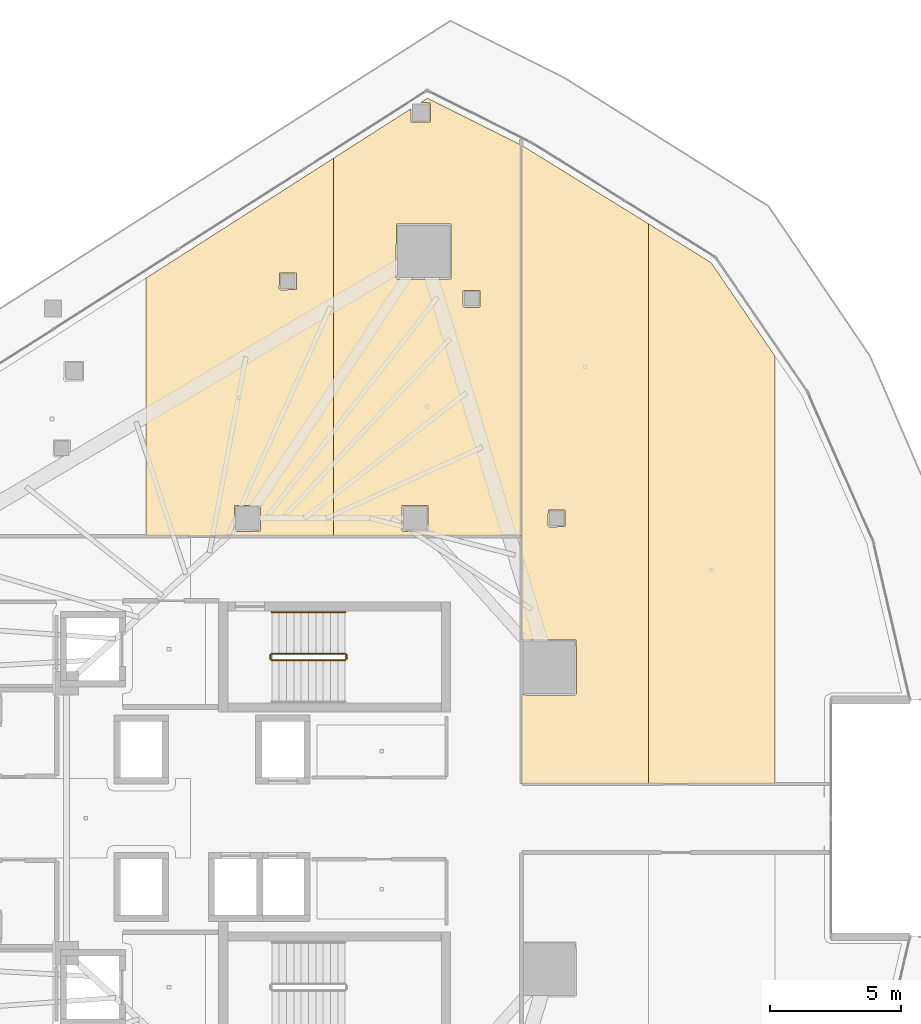
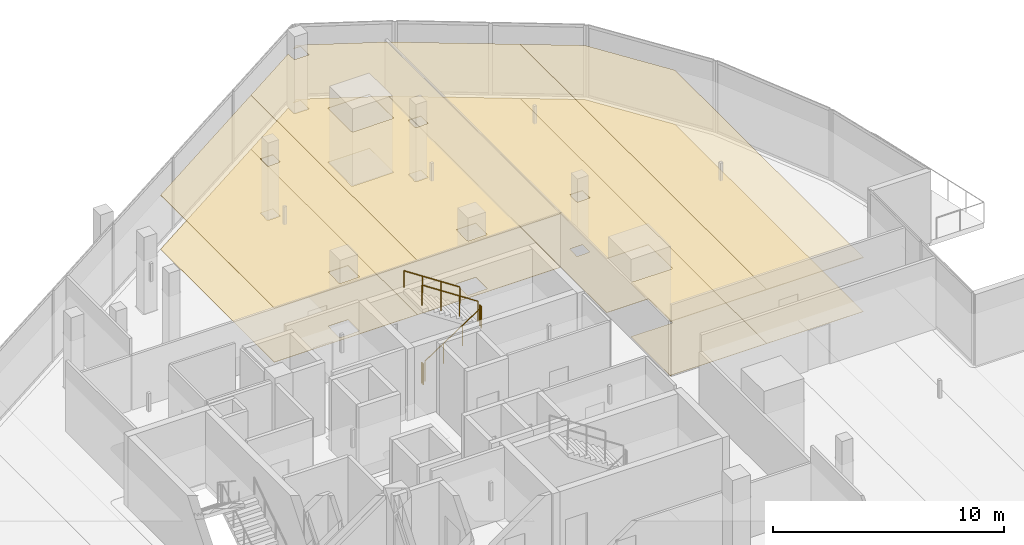
# One storey, part 35 of 36: 8 coverings, 5 railings.
"""IFC4 building model written with IfcOpenShell, lengths in metres."""

from ifc_helpers import new_model, si_unit, direction, frame, origin, origin_2d, place, context, subcontext, project, spatial, polyline, circle, outline, extrude, material, layer, layer_set, type_object, element, save


model = new_model("IFC4")

# Units and contexts
model_context = context("Model", 3, precision=1e-05, world=origin(), true_north=direction((0.0, 1.0)))
body_context = subcontext(model_context, "Body", "Model", "MODEL_VIEW")
ifc_project = project(units=[si_unit("LENGTHUNIT", "METRE"), si_unit("AREAUNIT", "SQUARE_METRE"), si_unit("VOLUMEUNIT", "CUBIC_METRE"), si_unit("PLANEANGLEUNIT", "RADIAN"), si_unit("MASSUNIT", "GRAM", prefix="KILO")], contexts=[model_context])

# Site, building, storey
site_placement = place(None, origin())
site = spatial("IfcSite", under=ifc_project, at=site_placement, CompositionType="ELEMENT")
building_placement = place(site_placement, origin())
building = spatial("IfcBuilding", under=site, at=building_placement, Name="Qorvath Tower", CompositionType="ELEMENT")
storey_placement = place(building_placement, frame((0.0, 0.0, 192.89990234375)))
storey = spatial("IfcBuildingStorey", under=building, at=storey_placement, Name="L44", CompositionType="ELEMENT", Elevation=192.89990234375)

# Coverings
ifc_material_1 = material(Name="Acoustic mineral fibre ceiling tile", Category="gypsum")
ifc_layer_1 = layer(ifc_material_1, 0.030029296875)
ifc_layer_set_1 = layer_set([ifc_layer_1], Name="COV-CEIL")
covering_type_1 = type_object("IfcCoveringType", Name="COV-CEIL", PredefinedType="CEILING", material=ifc_layer_set_1)
covering_1_placement = place(storey_placement, frame((0.0, 0.0, 2.85009765625)))
element("IfcCovering", 1, at=covering_1_placement, inside=storey, type_object=covering_type_1, Name="L44 Suspended Acoustic Ceiling 016", PredefinedType="CEILING", context=body_context, shape_type="SweptSolid", body=[
    extrude(outline(polyline([(-20.315673828125, 10.762939453125), (-20.315673828125, 25.18505859375), (-27.476318359375, 20.6083984375), (-27.476318359375, 10.762939453125), (-20.315673828125, 10.762939453125)]), holes=[polyline([(-22.38818359375, 20.219970703125), (-22.37060546875, 20.812255859375), (-21.73583984375, 20.812255859375), (-21.73583984375, 20.177490234375), (-22.328125, 20.159912109375), (-22.38818359375, 20.219970703125)]), polyline([(-24.110107421875, 11.0), (-24.092529296875, 11.9423828125), (-23.107666015625, 11.9423828125), (-23.107666015625, 10.95751953125), (-24.050048828125, 10.93994140625), (-24.110107421875, 11.0)])]), origin(), (0.0, 0.0, 1.0), 0.030029296875),
])
covering_2_placement = place(storey_placement, frame((0.0, 0.0, 2.85009765625)))
element("IfcCovering", 2, at=covering_2_placement, inside=storey, type_object=covering_type_1, Name="L44 Suspended Acoustic Ceiling 017", PredefinedType="CEILING", context=body_context, shape_type="SweptSolid", body=[
    extrude(outline(polyline([(-13.155029296875, 25.69189453125), (-16.7275390625, 27.478271484375), (-16.984130859375, 27.314208984375), (-16.61376953125, 27.296630859375), (-16.61376953125, 26.561767578125), (-17.3486328125, 26.561767578125), (-17.3662109375, 27.070068359375), (-20.315673828125, 25.18505859375), (-20.315673828125, 10.762939453125), (-13.155029296875, 10.762939453125), (-13.155029296875, 25.69189453125)]), holes=[polyline([(-15.381103515625, 19.543212890625), (-15.363525390625, 20.135498046875), (-14.728759765625, 20.135498046875), (-14.728759765625, 19.500732421875), (-15.321044921875, 19.483154296875), (-15.381103515625, 19.543212890625)]), polyline([(-17.931640625, 20.627197265625), (-17.9140625, 22.66943359375), (-15.829345703125, 22.66943359375), (-15.829345703125, 20.584716796875), (-17.87158203125, 20.567138671875), (-17.931640625, 20.627197265625)]), polyline([(-17.7099609375, 11.0), (-17.6923828125, 11.9423828125), (-16.70751953125, 11.9423828125), (-16.70751953125, 10.95751953125), (-17.64990234375, 10.93994140625), (-17.7099609375, 11.0)])]), origin(), (0.0, 0.0, 1.0), 0.030029296875),
])
covering_3_placement = place(storey_placement, frame((0.0, 0.0, 2.85009765625)))
element("IfcCovering", 3, at=covering_3_placement, inside=storey, type_object=covering_type_1, Name="L44 Suspended Acoustic Ceiling 021", PredefinedType="CEILING", context=body_context, shape_type="SweptSolid", body=[
    extrude(outline(polyline([(-8.3037109375, 1.31298828125), (-8.3037109375, 22.687744140625), (-13.136962890625, 25.68212890625), (-13.136962890625, 6.80126953125), (-11.054443359375, 6.80029296875), (-11.036865234375, 4.7578125), (-11.0966796875, 4.697998046875), (-13.136962890625, 4.714599609375), (-13.136962890625, 1.31298828125), (-8.3037109375, 1.31298828125)]), holes=[polyline([(-12.135009765625, 11.175048828125), (-12.117431640625, 11.767333984375), (-11.482666015625, 11.767333984375), (-11.482666015625, 11.132568359375), (-12.074951171875, 11.114990234375), (-12.135009765625, 11.175048828125)])]), origin(), (0.0, 0.0, 1.0), 0.030029296875),
])
covering_4_placement = place(storey_placement, frame((0.0, 0.0, 2.85009765625)))
element("IfcCovering", 4, at=covering_4_placement, inside=storey, type_object=covering_type_1, Name="L44 Suspended Acoustic Ceiling 022", PredefinedType="CEILING", context=body_context, shape_type="SweptSolid", body=[
    extrude(outline(polyline([(-3.47021484375, 1.31298828125), (-3.47021484375, 17.63623046875), (-5.91162109375, 21.20556640625), (-8.3037109375, 22.687744140625), (-8.3037109375, 1.31298828125), (-3.47021484375, 1.31298828125)])), origin(), (0.0, 0.0, 1.0), 0.030029296875),
])
ifc_material_2 = material(Name="Low-VOC modular carpet tile", Category="textile")
ifc_layer_2 = layer(ifc_material_2, 0.014892578125)
ifc_layer_set_2 = layer_set([ifc_layer_2], Name="COV-FLOOR-CPT")
covering_type_2 = type_object("IfcCoveringType", Name="COV-FLOOR-CPT", PredefinedType="FLOORING", material=ifc_layer_set_2)
covering_5_placement = place(storey_placement, origin())
element("IfcCovering", 5, at=covering_5_placement, inside=storey, type_object=covering_type_2, Name="L44 Floor Finish 016", PredefinedType="FLOORING", context=body_context, shape_type="SweptSolid", body=[
    extrude(outline(polyline([(-20.315673828125, 10.762939453125), (-20.315673828125, 25.18505859375), (-27.476318359375, 20.6083984375), (-27.476318359375, 10.762939453125), (-20.315673828125, 10.762939453125)]), holes=[polyline([(-22.38818359375, 20.219970703125), (-22.37060546875, 20.812255859375), (-21.73583984375, 20.812255859375), (-21.73583984375, 20.177490234375), (-22.328125, 20.159912109375), (-22.38818359375, 20.219970703125)]), polyline([(-24.110107421875, 11.0), (-24.092529296875, 11.9423828125), (-23.107666015625, 11.9423828125), (-23.107666015625, 10.95751953125), (-24.050048828125, 10.93994140625), (-24.110107421875, 11.0)])]), origin(), (0.0, 0.0, 1.0), 0.01513671875),
])
covering_6_placement = place(storey_placement, origin())
element("IfcCovering", 6, at=covering_6_placement, inside=storey, type_object=covering_type_2, Name="L44 Floor Finish 017", PredefinedType="FLOORING", context=body_context, shape_type="SweptSolid", body=[
    extrude(outline(polyline([(-13.155029296875, 25.69189453125), (-16.7275390625, 27.478271484375), (-16.984130859375, 27.314208984375), (-16.61376953125, 27.296630859375), (-16.61376953125, 26.561767578125), (-17.3486328125, 26.561767578125), (-17.3662109375, 27.070068359375), (-20.315673828125, 25.18505859375), (-20.315673828125, 10.762939453125), (-13.155029296875, 10.762939453125), (-13.155029296875, 25.69189453125)]), holes=[polyline([(-15.381103515625, 19.543212890625), (-15.363525390625, 20.135498046875), (-14.728759765625, 20.135498046875), (-14.728759765625, 19.500732421875), (-15.321044921875, 19.483154296875), (-15.381103515625, 19.543212890625)]), polyline([(-17.931640625, 20.627197265625), (-17.9140625, 22.66943359375), (-15.829345703125, 22.66943359375), (-15.829345703125, 20.584716796875), (-17.87158203125, 20.567138671875), (-17.931640625, 20.627197265625)]), polyline([(-17.7099609375, 11.0), (-17.6923828125, 11.9423828125), (-16.70751953125, 11.9423828125), (-16.70751953125, 10.95751953125), (-17.64990234375, 10.93994140625), (-17.7099609375, 11.0)])]), origin(), (0.0, 0.0, 1.0), 0.01513671875),
])
covering_7_placement = place(storey_placement, origin())
element("IfcCovering", 7, at=covering_7_placement, inside=storey, type_object=covering_type_2, Name="L44 Floor Finish 021", PredefinedType="FLOORING", context=body_context, shape_type="SweptSolid", body=[
    extrude(outline(polyline([(-8.3037109375, 1.31298828125), (-8.3037109375, 22.687744140625), (-13.136962890625, 25.68212890625), (-13.136962890625, 6.80126953125), (-11.054443359375, 6.80029296875), (-11.036865234375, 4.7578125), (-11.0966796875, 4.697998046875), (-13.136962890625, 4.714599609375), (-13.136962890625, 1.31298828125), (-8.3037109375, 1.31298828125)]), holes=[polyline([(-12.135009765625, 11.175048828125), (-12.117431640625, 11.767333984375), (-11.482666015625, 11.767333984375), (-11.482666015625, 11.132568359375), (-12.074951171875, 11.114990234375), (-12.135009765625, 11.175048828125)])]), origin(), (0.0, 0.0, 1.0), 0.01513671875),
])
covering_8_placement = place(storey_placement, origin())
element("IfcCovering", 8, at=covering_8_placement, inside=storey, type_object=covering_type_2, Name="L44 Floor Finish 022", PredefinedType="FLOORING", context=body_context, shape_type="SweptSolid", body=[
    extrude(outline(polyline([(-3.47021484375, 1.31298828125), (-3.47021484375, 17.63623046875), (-5.91162109375, 21.20556640625), (-8.3037109375, 22.687744140625), (-8.3037109375, 1.31298828125), (-3.47021484375, 1.31298828125)])), origin(), (0.0, 0.0, 1.0), 0.01513671875),
])

# Railings
ifc_material_3 = material(Name="Painted galvanised steel", Category="steel")
railing_type_1 = type_object("IfcRailingType", Name="RL-STR-GRD", PredefinedType="GUARDRAIL", material=ifc_material_3)
railing_1_placement = place(storey_placement, frame((-22.669921875, 6.030029296875, 0.18408203125)))
element("IfcRailing", 9, at=railing_1_placement, inside=storey, type_object=railing_type_1, Name="L44 TS1 stair guard 1", PredefinedType="GUARDRAIL", context=body_context, shape_type="SweptSolid", body=[
    extrude(circle(Radius=0.02392578125, at=origin_2d()), frame((0.0, 0.0, 1.076171875), z_axis=(0.835542071712, 0.0, 0.549426470421), x_axis=(0.0, 1.0, 0.0)), (0.0, 0.0, 1.0), 3.350830078125),
    extrude(circle(Radius=0.02099609375, at=origin_2d()), origin(), (0.0, 0.0, 1.0), 1.052001953125),
    extrude(circle(Radius=0.02099609375, at=origin_2d()), frame((0.933349609375, 0.0, 0.61376953125)), (0.0, 0.0, 1.0), 1.052001953125),
    extrude(circle(Radius=0.02099609375, at=origin_2d()), frame((1.866455078125, 0.0, 1.227294921875)), (0.0, 0.0, 1.0), 1.052001953125),
    extrude(circle(Radius=0.02099609375, at=origin_2d()), frame((2.7998046875, 0.0, 1.841064453125)), (0.0, 0.0, 1.0), 1.052001953125),
])
railing_2_placement = place(storey_placement, frame((-19.820068359375, 6.080078125, 2.025146484375)))
element("IfcRailing", 10, at=railing_2_placement, inside=storey, type_object=railing_type_1, Name="L44 TS1 stair guard 2", PredefinedType="GUARDRAIL", context=body_context, shape_type="SweptSolid", body=[
    extrude(circle(Radius=0.02392578125, at=origin_2d()), frame((0.0, 0.0, 1.076171875), z_axis=(0.0, 1.0, 0.0), x_axis=(-1.0, 0.0, 0.0)), (0.0, 0.0, 1.0), 0.14990234375),
    extrude(circle(Radius=0.02099609375, at=origin_2d()), origin(), (0.0, 0.0, 1.0), 1.052001953125),
    extrude(circle(Radius=0.02099609375, at=origin_2d()), frame((0.0, 0.14990234375, 0.0)), (0.0, 0.0, 1.0), 1.052001953125),
])
railing_3_placement = place(storey_placement, frame((-19.8701171875, 6.280029296875, 2.209228515625)))
element("IfcRailing", 11, at=railing_3_placement, inside=storey, type_object=railing_type_1, Name="L44 TS1 stair guard 3", PredefinedType="GUARDRAIL", context=body_context, shape_type="SweptSolid", body=[
    extrude(circle(Radius=0.02392578125, at=origin_2d()), frame((0.0, 0.0, 1.076171875), z_axis=(-0.835575518608, 0.0, 0.549375602573), x_axis=(0.0, -1.0, 0.0)), (0.0, 0.0, 1.0), 3.350830078125),
    extrude(circle(Radius=0.02099609375, at=origin_2d()), origin(), (0.0, 0.0, 1.0), 1.052001953125),
    extrude(circle(Radius=0.02099609375, at=origin_2d()), frame((-0.933349609375, 0.0, 0.613525390625)), (0.0, 0.0, 1.0), 1.052001953125),
    extrude(circle(Radius=0.02099609375, at=origin_2d()), frame((-1.866455078125, 0.0, 1.227294921875)), (0.0, 0.0, 1.0), 1.052001953125),
    extrude(circle(Radius=0.02099609375, at=origin_2d()), frame((-2.7998046875, 0.0, 1.8408203125)), (0.0, 0.0, 1.0), 1.052001953125),
])
railing_4_placement = place(storey_placement, frame((-22.719970703125, 6.080078125, 0.0)))
element("IfcRailing", 12, at=railing_4_placement, inside=storey, type_object=railing_type_1, Name="L44 TS1 stair guard 4", PredefinedType="GUARDRAIL", context=body_context, shape_type="SweptSolid", body=[
    extrude(circle(Radius=0.02392578125, at=origin_2d()), frame((0.0, 0.0, 1.076171875), z_axis=(0.0, 1.0, 0.0), x_axis=(-1.0, 0.0, 0.0)), (0.0, 0.0, 1.0), 0.14990234375),
    extrude(circle(Radius=0.02099609375, at=origin_2d()), origin(), (0.0, 0.0, 1.0), 1.052001953125),
    extrude(circle(Radius=0.02099609375, at=origin_2d()), frame((0.0, 0.14990234375, 0.0)), (0.0, 0.0, 1.0), 1.052001953125),
])
ifc_material_4 = material(Name="Brushed stainless steel AISI 304", Category="steel")
railing_type_2 = type_object("IfcRailingType", Name="RL-STR-HND", PredefinedType="HANDRAIL", material=ifc_material_4)
railing_5_placement = place(storey_placement, frame((-19.8701171875, 7.860107421875, 2.209228515625)))
element("IfcRailing", 13, at=railing_5_placement, inside=storey, type_object=railing_type_2, Name="L44 TS1 stair handrail 2", PredefinedType="HANDRAIL", context=body_context, shape_type="SweptSolid", body=[
    extrude(circle(Radius=0.02392578125, at=origin_2d()), frame((0.0, 0.0, 0.8759765625), z_axis=(-0.835575518608, 0.0, 0.549375602573), x_axis=(0.0, -1.0, 0.0)), (0.0, 0.0, 1.0), 3.350830078125),
    extrude(circle(Radius=0.02099609375, at=origin_2d()), origin(), (0.0, 0.0, 1.0), 0.851806640625),
    extrude(circle(Radius=0.02099609375, at=origin_2d()), frame((-0.933349609375, 0.0, 0.613525390625)), (0.0, 0.0, 1.0), 0.851806640625),
    extrude(circle(Radius=0.02099609375, at=origin_2d()), frame((-1.866455078125, 0.0, 1.227294921875)), (0.0, 0.0, 1.0), 0.851806640625),
    extrude(circle(Radius=0.02099609375, at=origin_2d()), frame((-2.7998046875, 0.0, 1.8408203125)), (0.0, 0.0, 1.0), 0.851806640625),
])

save(model, "model.ifc")
